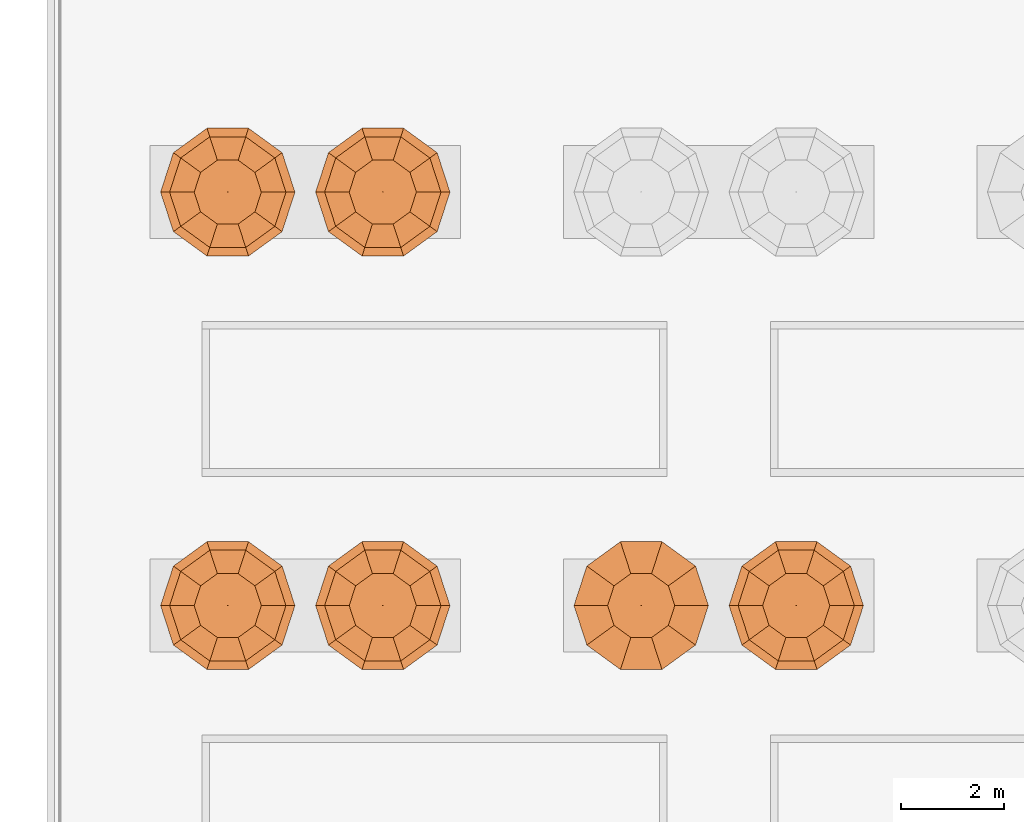
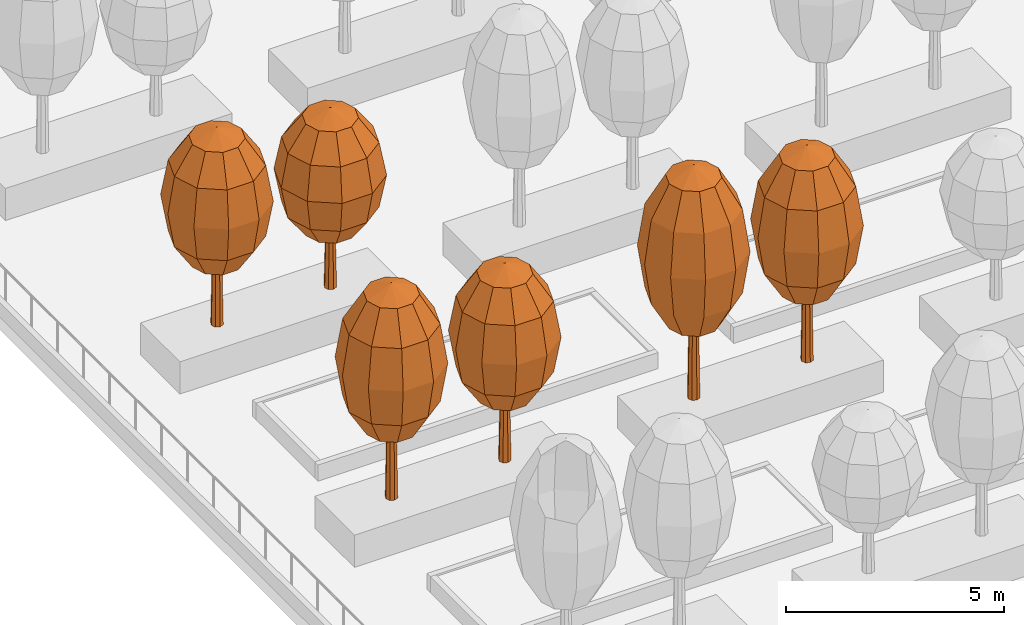
# One storey, part 94 of 100: 6 proxies.
"""IFC4 building model written with IfcOpenShell, lengths in metres."""

from ifc_helpers import new_model, si_unit, direction, frame, origin, place, context, subcontext, project, spatial, triangles, element, save


model = new_model("IFC4")

# Units and contexts
model_context = context("Model", 3, precision=1e-05, world=origin(), true_north=direction((0.0, 1.0)))
body_context = subcontext(model_context, "Body", "Model", "MODEL_VIEW")
ifc_project = project(units=[si_unit("LENGTHUNIT", "METRE"), si_unit("AREAUNIT", "SQUARE_METRE"), si_unit("VOLUMEUNIT", "CUBIC_METRE"), si_unit("PLANEANGLEUNIT", "RADIAN"), si_unit("MASSUNIT", "GRAM", prefix="KILO")], contexts=[model_context])

# Site, building, storey
site_placement = place(None, origin())
site = spatial("IfcSite", under=ifc_project, at=site_placement, CompositionType="ELEMENT")
building_placement = place(site_placement, origin())
building = spatial("IfcBuilding", under=site, at=building_placement, Name="Hakoniwa Tower and Hamabe Station Hall", CompositionType="ELEMENT")
storey_placement = place(building_placement, frame((0.0, 0.0, 9.0)))
storey = spatial("IfcBuildingStorey", under=building, at=storey_placement, Name="L02", CompositionType="ELEMENT", Elevation=9.0)

# Proxies
proxy_1_placement = place(storey_placement, frame((-20.5, -49.0, 0.89990234375)))
element("IfcBuildingElementProxy", 1, at=proxy_1_placement, inside=storey, Name="Tree Biota orientalis 07-1", ObjectType="TREE", PredefinedType="USERDEFINED", context=body_context, shape_type="Tessellation", body=[
    triangles([(0.14990234375, 0.0, 0.0), (0.106201171875, 0.106201171875, 0.0), (0.0, 0.14990234375, 0.0), (-0.106201171875, 0.106201171875, 0.0), (-0.14990234375, 0.0, 0.0), (-0.106201171875, -0.106201171875, 0.0), (0.0, -0.14990234375, 0.0), (0.106201171875, -0.106201171875, 0.0), (0.090087890625, 0.0, 3.6240234375), (0.063720703125, 0.063720703125, 3.6240234375), (0.0, 0.090087890625, 3.6240234375), (-0.063720703125, 0.063720703125, 3.6240234375), (-0.090087890625, 0.0, 3.6240234375), (-0.063720703125, -0.063720703125, 3.6240234375), (0.0, -0.090087890625, 3.6240234375), (0.063720703125, -0.063720703125, 3.6240234375), (0.0, 0.0, 0.0), (0.0, 0.0, 3.6240234375)], [[1, 2, 10], [1, 10, 9], [17, 2, 1], [18, 9, 10], [2, 3, 11], [2, 11, 10], [17, 3, 2], [18, 10, 11], [3, 4, 12], [3, 12, 11], [17, 4, 3], [18, 11, 12], [4, 5, 13], [4, 13, 12], [17, 5, 4], [18, 12, 13], [5, 6, 14], [5, 14, 13], [17, 6, 5], [18, 13, 14], [6, 7, 15], [6, 15, 14], [17, 7, 6], [18, 14, 15], [7, 8, 16], [7, 16, 15], [17, 8, 7], [18, 15, 16], [8, 1, 9], [8, 9, 16], [17, 1, 8], [18, 16, 9]], closed=True),
    triangles([(0.0, 0.0, 1.679931640625), (0.64990234375, 0.0, 1.969482421875), (0.52587890625, 0.382080078125, 1.969482421875), (0.200927734375, 0.6181640625, 1.969482421875), (-0.200927734375, 0.6181640625, 1.969482421875), (-0.52587890625, 0.382080078125, 1.969482421875), (-0.64990234375, 0.0, 1.969482421875), (-0.52587890625, -0.382080078125, 1.969482421875), (-0.200927734375, -0.6181640625, 1.969482421875), (0.200927734375, -0.6181640625, 1.969482421875), (0.52587890625, -0.382080078125, 1.969482421875), (1.1259765625, 0.0, 2.760009765625), (0.910888671875, 0.661865234375, 2.760009765625), (0.347900390625, 1.07080078125, 2.760009765625), (-0.347900390625, 1.07080078125, 2.760009765625), (-0.910888671875, 0.661865234375, 2.760009765625), (-1.1259765625, 0.0, 2.760009765625), (-0.910888671875, -0.661865234375, 2.760009765625), (-0.347900390625, -1.07080078125, 2.760009765625), (0.347900390625, -1.07080078125, 2.760009765625), (0.910888671875, -0.661865234375, 2.760009765625), (1.300048828125, 0.0, 3.840087890625), (1.0517578125, 0.76416015625, 3.840087890625), (0.40185546875, 1.236328125, 3.840087890625), (-0.40185546875, 1.236328125, 3.840087890625), (-1.0517578125, 0.76416015625, 3.840087890625), (-1.300048828125, 0.0, 3.840087890625), (-1.0517578125, -0.76416015625, 3.840087890625), (-0.40185546875, -1.236328125, 3.840087890625), (0.40185546875, -1.236328125, 3.840087890625), (1.0517578125, -0.76416015625, 3.840087890625), (1.1259765625, 0.0, 4.919921875), (0.910888671875, 0.661865234375, 4.919921875), (0.347900390625, 1.07080078125, 4.919921875), (-0.347900390625, 1.07080078125, 4.919921875), (-0.910888671875, 0.661865234375, 4.919921875), (-1.1259765625, 0.0, 4.919921875), (-0.910888671875, -0.661865234375, 4.919921875), (-0.347900390625, -1.07080078125, 4.919921875), (0.347900390625, -1.07080078125, 4.919921875), (0.910888671875, -0.661865234375, 4.919921875), (0.64990234375, 0.0, 5.710693359375), (0.52587890625, 0.382080078125, 5.710693359375), (0.200927734375, 0.6181640625, 5.710693359375), (-0.200927734375, 0.6181640625, 5.710693359375), (-0.52587890625, 0.382080078125, 5.710693359375), (-0.64990234375, 0.0, 5.710693359375), (-0.52587890625, -0.382080078125, 5.710693359375), (-0.200927734375, -0.6181640625, 5.710693359375), (0.200927734375, -0.6181640625, 5.710693359375), (0.52587890625, -0.382080078125, 5.710693359375), (0.0, 0.0, 6.0)], [[1, 3, 2], [1, 4, 3], [1, 5, 4], [1, 6, 5], [1, 7, 6], [1, 8, 7], [1, 9, 8], [1, 10, 9], [1, 11, 10], [1, 2, 11], [2, 3, 13], [2, 13, 12], [3, 4, 14], [3, 14, 13], [4, 5, 15], [4, 15, 14], [5, 6, 16], [5, 16, 15], [6, 7, 17], [6, 17, 16], [7, 8, 18], [7, 18, 17], [8, 9, 19], [8, 19, 18], [9, 10, 20], [9, 20, 19], [10, 11, 21], [10, 21, 20], [11, 2, 12], [11, 12, 21], [12, 13, 23], [12, 23, 22], [13, 14, 24], [13, 24, 23], [14, 15, 25], [14, 25, 24], [15, 16, 26], [15, 26, 25], [16, 17, 27], [16, 27, 26], [17, 18, 28], [17, 28, 27], [18, 19, 29], [18, 29, 28], [19, 20, 30], [19, 30, 29], [20, 21, 31], [20, 31, 30], [21, 12, 22], [21, 22, 31], [22, 23, 33], [22, 33, 32], [23, 24, 34], [23, 34, 33], [24, 25, 35], [24, 35, 34], [25, 26, 36], [25, 36, 35], [26, 27, 37], [26, 37, 36], [27, 28, 38], [27, 38, 37], [28, 29, 39], [28, 39, 38], [29, 30, 40], [29, 40, 39], [30, 31, 41], [30, 41, 40], [31, 22, 32], [31, 32, 41], [32, 33, 43], [32, 43, 42], [33, 34, 44], [33, 44, 43], [34, 35, 45], [34, 45, 44], [35, 36, 46], [35, 46, 45], [36, 37, 47], [36, 47, 46], [37, 38, 48], [37, 48, 47], [38, 39, 49], [38, 49, 48], [39, 40, 50], [39, 50, 49], [40, 41, 51], [40, 51, 50], [41, 32, 42], [41, 42, 51], [52, 42, 43], [52, 43, 44], [52, 44, 45], [52, 45, 46], [52, 46, 47], [52, 47, 48], [52, 48, 49], [52, 49, 50], [52, 50, 51], [52, 51, 42]], closed=True),
])
proxy_2_placement = place(storey_placement, frame((-17.5, -49.0, 0.89990234375)))
element("IfcBuildingElementProxy", 2, at=proxy_2_placement, inside=storey, Name="Tree Dendropanax trifidus 07-2", ObjectType="TREE", PredefinedType="USERDEFINED", context=body_context, shape_type="Tessellation", body=[
    triangles([(0.14990234375, 0.0, 0.0), (0.106201171875, 0.106201171875, 0.0), (0.0, 0.14990234375, 0.0), (-0.106201171875, 0.106201171875, 0.0), (-0.14990234375, 0.0, 0.0), (-0.106201171875, -0.106201171875, 0.0), (0.0, -0.14990234375, 0.0), (0.106201171875, -0.106201171875, 0.0), (0.090087890625, 0.0, 3.322021484375), (0.063720703125, 0.063720703125, 3.322021484375), (0.0, 0.090087890625, 3.322021484375), (-0.063720703125, 0.063720703125, 3.322021484375), (-0.090087890625, 0.0, 3.322021484375), (-0.063720703125, -0.063720703125, 3.322021484375), (0.0, -0.090087890625, 3.322021484375), (0.063720703125, -0.063720703125, 3.322021484375), (0.0, 0.0, 0.0), (0.0, 0.0, 3.322021484375)], [[1, 2, 10], [1, 10, 9], [17, 2, 1], [18, 9, 10], [2, 3, 11], [2, 11, 10], [17, 3, 2], [18, 10, 11], [3, 4, 12], [3, 12, 11], [17, 4, 3], [18, 11, 12], [4, 5, 13], [4, 13, 12], [17, 5, 4], [18, 12, 13], [5, 6, 14], [5, 14, 13], [17, 6, 5], [18, 13, 14], [6, 7, 15], [6, 15, 14], [17, 7, 6], [18, 14, 15], [7, 8, 16], [7, 16, 15], [17, 8, 7], [18, 15, 16], [8, 1, 9], [8, 9, 16], [17, 1, 8], [18, 16, 9]], closed=True),
    triangles([(0.0, 0.0, 1.5400390625), (0.64990234375, 0.0, 1.80517578125), (0.52587890625, 0.382080078125, 1.80517578125), (0.200927734375, 0.6181640625, 1.80517578125), (-0.200927734375, 0.6181640625, 1.80517578125), (-0.52587890625, 0.382080078125, 1.80517578125), (-0.64990234375, 0.0, 1.80517578125), (-0.52587890625, -0.382080078125, 1.80517578125), (-0.200927734375, -0.6181640625, 1.80517578125), (0.200927734375, -0.6181640625, 1.80517578125), (0.52587890625, -0.382080078125, 1.80517578125), (1.1259765625, 0.0, 2.530029296875), (0.910888671875, 0.661865234375, 2.530029296875), (0.347900390625, 1.07080078125, 2.530029296875), (-0.347900390625, 1.07080078125, 2.530029296875), (-0.910888671875, 0.661865234375, 2.530029296875), (-1.1259765625, 0.0, 2.530029296875), (-0.910888671875, -0.661865234375, 2.530029296875), (-0.347900390625, -1.07080078125, 2.530029296875), (0.347900390625, -1.07080078125, 2.530029296875), (0.910888671875, -0.661865234375, 2.530029296875), (1.300048828125, 0.0, 3.52001953125), (1.0517578125, 0.76416015625, 3.52001953125), (0.40185546875, 1.236328125, 3.52001953125), (-0.40185546875, 1.236328125, 3.52001953125), (-1.0517578125, 0.76416015625, 3.52001953125), (-1.300048828125, 0.0, 3.52001953125), (-1.0517578125, -0.76416015625, 3.52001953125), (-0.40185546875, -1.236328125, 3.52001953125), (0.40185546875, -1.236328125, 3.52001953125), (1.0517578125, -0.76416015625, 3.52001953125), (1.1259765625, 0.0, 4.510009765625), (0.910888671875, 0.661865234375, 4.510009765625), (0.347900390625, 1.07080078125, 4.510009765625), (-0.347900390625, 1.07080078125, 4.510009765625), (-0.910888671875, 0.661865234375, 4.510009765625), (-1.1259765625, 0.0, 4.510009765625), (-0.910888671875, -0.661865234375, 4.510009765625), (-0.347900390625, -1.07080078125, 4.510009765625), (0.347900390625, -1.07080078125, 4.510009765625), (0.910888671875, -0.661865234375, 4.510009765625), (0.64990234375, 0.0, 5.234619140625), (0.52587890625, 0.382080078125, 5.234619140625), (0.200927734375, 0.6181640625, 5.234619140625), (-0.200927734375, 0.6181640625, 5.234619140625), (-0.52587890625, 0.382080078125, 5.234619140625), (-0.64990234375, 0.0, 5.234619140625), (-0.52587890625, -0.382080078125, 5.234619140625), (-0.200927734375, -0.6181640625, 5.234619140625), (0.200927734375, -0.6181640625, 5.234619140625), (0.52587890625, -0.382080078125, 5.234619140625), (0.0, 0.0, 5.5)], [[1, 3, 2], [1, 4, 3], [1, 5, 4], [1, 6, 5], [1, 7, 6], [1, 8, 7], [1, 9, 8], [1, 10, 9], [1, 11, 10], [1, 2, 11], [2, 3, 13], [2, 13, 12], [3, 4, 14], [3, 14, 13], [4, 5, 15], [4, 15, 14], [5, 6, 16], [5, 16, 15], [6, 7, 17], [6, 17, 16], [7, 8, 18], [7, 18, 17], [8, 9, 19], [8, 19, 18], [9, 10, 20], [9, 20, 19], [10, 11, 21], [10, 21, 20], [11, 2, 12], [11, 12, 21], [12, 13, 23], [12, 23, 22], [13, 14, 24], [13, 24, 23], [14, 15, 25], [14, 25, 24], [15, 16, 26], [15, 26, 25], [16, 17, 27], [16, 27, 26], [17, 18, 28], [17, 28, 27], [18, 19, 29], [18, 29, 28], [19, 20, 30], [19, 30, 29], [20, 21, 31], [20, 31, 30], [21, 12, 22], [21, 22, 31], [22, 23, 33], [22, 33, 32], [23, 24, 34], [23, 34, 33], [24, 25, 35], [24, 35, 34], [25, 26, 36], [25, 36, 35], [26, 27, 37], [26, 37, 36], [27, 28, 38], [27, 38, 37], [28, 29, 39], [28, 39, 38], [29, 30, 40], [29, 40, 39], [30, 31, 41], [30, 41, 40], [31, 22, 32], [31, 32, 41], [32, 33, 43], [32, 43, 42], [33, 34, 44], [33, 44, 43], [34, 35, 45], [34, 45, 44], [35, 36, 46], [35, 46, 45], [36, 37, 47], [36, 47, 46], [37, 38, 48], [37, 48, 47], [38, 39, 49], [38, 49, 48], [39, 40, 50], [39, 50, 49], [40, 41, 51], [40, 51, 50], [41, 32, 42], [41, 42, 51], [52, 42, 43], [52, 43, 44], [52, 44, 45], [52, 45, 46], [52, 46, 47], [52, 47, 48], [52, 48, 49], [52, 49, 50], [52, 50, 51], [52, 51, 42]], closed=True),
])
proxy_3_placement = place(storey_placement, frame((-12.5, -49.0, 0.89990234375)))
element("IfcBuildingElementProxy", 3, at=proxy_3_placement, inside=storey, Name="Tree Quercus phillyraeoides 08-1", ObjectType="TREE", PredefinedType="USERDEFINED", context=body_context, shape_type="Tessellation", body=[
    triangles([(0.14990234375, 0.0, 0.0), (0.106201171875, 0.106201171875, 0.0), (0.0, 0.14990234375, 0.0), (-0.106201171875, 0.106201171875, 0.0), (-0.14990234375, 0.0, 0.0), (-0.106201171875, -0.106201171875, 0.0), (0.0, -0.14990234375, 0.0), (0.106201171875, -0.106201171875, 0.0), (0.090087890625, 0.0, 3.926025390625), (0.063720703125, 0.063720703125, 3.926025390625), (0.0, 0.090087890625, 3.926025390625), (-0.063720703125, 0.063720703125, 3.926025390625), (-0.090087890625, 0.0, 3.926025390625), (-0.063720703125, -0.063720703125, 3.926025390625), (0.0, -0.090087890625, 3.926025390625), (0.063720703125, -0.063720703125, 3.926025390625), (0.0, 0.0, 0.0), (0.0, 0.0, 3.926025390625)], [[1, 2, 10], [1, 10, 9], [17, 2, 1], [18, 9, 10], [2, 3, 11], [2, 11, 10], [17, 3, 2], [18, 10, 11], [3, 4, 12], [3, 12, 11], [17, 4, 3], [18, 11, 12], [4, 5, 13], [4, 13, 12], [17, 5, 4], [18, 12, 13], [5, 6, 14], [5, 14, 13], [17, 6, 5], [18, 13, 14], [6, 7, 15], [6, 15, 14], [17, 7, 6], [18, 14, 15], [7, 8, 16], [7, 16, 15], [17, 8, 7], [18, 15, 16], [8, 1, 9], [8, 9, 16], [17, 1, 8], [18, 16, 9]], closed=True),
    triangles([(0.0, 0.0, 1.820068359375), (0.64990234375, 0.0, 2.133544921875), (0.52587890625, 0.382080078125, 2.133544921875), (0.200927734375, 0.6181640625, 2.133544921875), (-0.200927734375, 0.6181640625, 2.133544921875), (-0.52587890625, 0.382080078125, 2.133544921875), (-0.64990234375, 0.0, 2.133544921875), (-0.52587890625, -0.382080078125, 2.133544921875), (-0.200927734375, -0.6181640625, 2.133544921875), (0.200927734375, -0.6181640625, 2.133544921875), (0.52587890625, -0.382080078125, 2.133544921875), (1.1259765625, 0.0, 2.989990234375), (0.910888671875, 0.661865234375, 2.989990234375), (0.347900390625, 1.07080078125, 2.989990234375), (-0.347900390625, 1.07080078125, 2.989990234375), (-0.910888671875, 0.661865234375, 2.989990234375), (-1.1259765625, 0.0, 2.989990234375), (-0.910888671875, -0.661865234375, 2.989990234375), (-0.347900390625, -1.07080078125, 2.989990234375), (0.347900390625, -1.07080078125, 2.989990234375), (0.910888671875, -0.661865234375, 2.989990234375), (1.300048828125, 0.0, 4.159912109375), (1.0517578125, 0.76416015625, 4.159912109375), (0.40185546875, 1.236328125, 4.159912109375), (-0.40185546875, 1.236328125, 4.159912109375), (-1.0517578125, 0.76416015625, 4.159912109375), (-1.300048828125, 0.0, 4.159912109375), (-1.0517578125, -0.76416015625, 4.159912109375), (-0.40185546875, -1.236328125, 4.159912109375), (0.40185546875, -1.236328125, 4.159912109375), (1.0517578125, -0.76416015625, 4.159912109375), (1.1259765625, 0.0, 5.330078125), (0.910888671875, 0.661865234375, 5.330078125), (0.347900390625, 1.07080078125, 5.330078125), (-0.347900390625, 1.07080078125, 5.330078125), (-0.910888671875, 0.661865234375, 5.330078125), (-1.1259765625, 0.0, 5.330078125), (-0.910888671875, -0.661865234375, 5.330078125), (-0.347900390625, -1.07080078125, 5.330078125), (0.347900390625, -1.07080078125, 5.330078125), (0.910888671875, -0.661865234375, 5.330078125), (0.64990234375, 0.0, 6.1865234375), (0.52587890625, 0.382080078125, 6.1865234375), (0.200927734375, 0.6181640625, 6.1865234375), (-0.200927734375, 0.6181640625, 6.1865234375), (-0.52587890625, 0.382080078125, 6.1865234375), (-0.64990234375, 0.0, 6.1865234375), (-0.52587890625, -0.382080078125, 6.1865234375), (-0.200927734375, -0.6181640625, 6.1865234375), (0.200927734375, -0.6181640625, 6.1865234375), (0.52587890625, -0.382080078125, 6.1865234375), (0.0, 0.0, 6.5)], [[1, 3, 2], [1, 4, 3], [1, 5, 4], [1, 6, 5], [1, 7, 6], [1, 8, 7], [1, 9, 8], [1, 10, 9], [1, 11, 10], [1, 2, 11], [2, 3, 13], [2, 13, 12], [3, 4, 14], [3, 14, 13], [4, 5, 15], [4, 15, 14], [5, 6, 16], [5, 16, 15], [6, 7, 17], [6, 17, 16], [7, 8, 18], [7, 18, 17], [8, 9, 19], [8, 19, 18], [9, 10, 20], [9, 20, 19], [10, 11, 21], [10, 21, 20], [11, 2, 12], [11, 12, 21], [12, 13, 23], [12, 23, 22], [13, 14, 24], [13, 24, 23], [14, 15, 25], [14, 25, 24], [15, 16, 26], [15, 26, 25], [16, 17, 27], [16, 27, 26], [17, 18, 28], [17, 28, 27], [18, 19, 29], [18, 29, 28], [19, 20, 30], [19, 30, 29], [20, 21, 31], [20, 31, 30], [21, 12, 22], [21, 22, 31], [22, 23, 33], [22, 33, 32], [23, 24, 34], [23, 34, 33], [24, 25, 35], [24, 35, 34], [25, 26, 36], [25, 36, 35], [26, 27, 37], [26, 37, 36], [27, 28, 38], [27, 38, 37], [28, 29, 39], [28, 39, 38], [29, 30, 40], [29, 40, 39], [30, 31, 41], [30, 41, 40], [31, 22, 32], [31, 32, 41], [32, 33, 43], [32, 43, 42], [33, 34, 44], [33, 44, 43], [34, 35, 45], [34, 45, 44], [35, 36, 46], [35, 46, 45], [36, 37, 47], [36, 47, 46], [37, 38, 48], [37, 48, 47], [38, 39, 49], [38, 49, 48], [39, 40, 50], [39, 50, 49], [40, 41, 51], [40, 51, 50], [41, 32, 42], [41, 42, 51], [52, 42, 43], [52, 43, 44], [52, 44, 45], [52, 45, 46], [52, 46, 47], [52, 47, 48], [52, 48, 49], [52, 49, 50], [52, 50, 51], [52, 51, 42]], closed=True),
])
proxy_4_placement = place(storey_placement, frame((-9.5, -49.0, 0.89990234375)))
element("IfcBuildingElementProxy", 4, at=proxy_4_placement, inside=storey, Name="Tree Ilex rotunda 08-2", ObjectType="TREE", PredefinedType="USERDEFINED", context=body_context, shape_type="Tessellation", body=[
    triangles([(0.14990234375, 0.0, 0.0), (0.106201171875, 0.106201171875, 0.0), (0.0, 0.14990234375, 0.0), (-0.106201171875, 0.106201171875, 0.0), (-0.14990234375, 0.0, 0.0), (-0.106201171875, -0.106201171875, 0.0), (0.0, -0.14990234375, 0.0), (0.106201171875, -0.106201171875, 0.0), (0.090087890625, 0.0, 3.6240234375), (0.063720703125, 0.063720703125, 3.6240234375), (0.0, 0.090087890625, 3.6240234375), (-0.063720703125, 0.063720703125, 3.6240234375), (-0.090087890625, 0.0, 3.6240234375), (-0.063720703125, -0.063720703125, 3.6240234375), (0.0, -0.090087890625, 3.6240234375), (0.063720703125, -0.063720703125, 3.6240234375), (0.0, 0.0, 0.0), (0.0, 0.0, 3.6240234375)], [[1, 2, 10], [1, 10, 9], [17, 2, 1], [18, 9, 10], [2, 3, 11], [2, 11, 10], [17, 3, 2], [18, 10, 11], [3, 4, 12], [3, 12, 11], [17, 4, 3], [18, 11, 12], [4, 5, 13], [4, 13, 12], [17, 5, 4], [18, 12, 13], [5, 6, 14], [5, 14, 13], [17, 6, 5], [18, 13, 14], [6, 7, 15], [6, 15, 14], [17, 7, 6], [18, 14, 15], [7, 8, 16], [7, 16, 15], [17, 8, 7], [18, 15, 16], [8, 1, 9], [8, 9, 16], [17, 1, 8], [18, 16, 9]], closed=True),
    triangles([(0.0, 0.0, 1.679931640625), (0.64990234375, 0.0, 1.969482421875), (0.52587890625, 0.382080078125, 1.969482421875), (0.200927734375, 0.6181640625, 1.969482421875), (-0.200927734375, 0.6181640625, 1.969482421875), (-0.52587890625, 0.382080078125, 1.969482421875), (-0.64990234375, 0.0, 1.969482421875), (-0.52587890625, -0.382080078125, 1.969482421875), (-0.200927734375, -0.6181640625, 1.969482421875), (0.200927734375, -0.6181640625, 1.969482421875), (0.52587890625, -0.382080078125, 1.969482421875), (1.1259765625, 0.0, 2.760009765625), (0.910888671875, 0.661865234375, 2.760009765625), (0.347900390625, 1.07080078125, 2.760009765625), (-0.347900390625, 1.07080078125, 2.760009765625), (-0.910888671875, 0.661865234375, 2.760009765625), (-1.1259765625, 0.0, 2.760009765625), (-0.910888671875, -0.661865234375, 2.760009765625), (-0.347900390625, -1.07080078125, 2.760009765625), (0.347900390625, -1.07080078125, 2.760009765625), (0.910888671875, -0.661865234375, 2.760009765625), (1.300048828125, 0.0, 3.840087890625), (1.0517578125, 0.76416015625, 3.840087890625), (0.40185546875, 1.236328125, 3.840087890625), (-0.40185546875, 1.236328125, 3.840087890625), (-1.0517578125, 0.76416015625, 3.840087890625), (-1.300048828125, 0.0, 3.840087890625), (-1.0517578125, -0.76416015625, 3.840087890625), (-0.40185546875, -1.236328125, 3.840087890625), (0.40185546875, -1.236328125, 3.840087890625), (1.0517578125, -0.76416015625, 3.840087890625), (1.1259765625, 0.0, 4.919921875), (0.910888671875, 0.661865234375, 4.919921875), (0.347900390625, 1.07080078125, 4.919921875), (-0.347900390625, 1.07080078125, 4.919921875), (-0.910888671875, 0.661865234375, 4.919921875), (-1.1259765625, 0.0, 4.919921875), (-0.910888671875, -0.661865234375, 4.919921875), (-0.347900390625, -1.07080078125, 4.919921875), (0.347900390625, -1.07080078125, 4.919921875), (0.910888671875, -0.661865234375, 4.919921875), (0.64990234375, 0.0, 5.710693359375), (0.52587890625, 0.382080078125, 5.710693359375), (0.200927734375, 0.6181640625, 5.710693359375), (-0.200927734375, 0.6181640625, 5.710693359375), (-0.52587890625, 0.382080078125, 5.710693359375), (-0.64990234375, 0.0, 5.710693359375), (-0.52587890625, -0.382080078125, 5.710693359375), (-0.200927734375, -0.6181640625, 5.710693359375), (0.200927734375, -0.6181640625, 5.710693359375), (0.52587890625, -0.382080078125, 5.710693359375), (0.0, 0.0, 6.0)], [[1, 3, 2], [1, 4, 3], [1, 5, 4], [1, 6, 5], [1, 7, 6], [1, 8, 7], [1, 9, 8], [1, 10, 9], [1, 11, 10], [1, 2, 11], [2, 3, 13], [2, 13, 12], [3, 4, 14], [3, 14, 13], [4, 5, 15], [4, 15, 14], [5, 6, 16], [5, 16, 15], [6, 7, 17], [6, 17, 16], [7, 8, 18], [7, 18, 17], [8, 9, 19], [8, 19, 18], [9, 10, 20], [9, 20, 19], [10, 11, 21], [10, 21, 20], [11, 2, 12], [11, 12, 21], [12, 13, 23], [12, 23, 22], [13, 14, 24], [13, 24, 23], [14, 15, 25], [14, 25, 24], [15, 16, 26], [15, 26, 25], [16, 17, 27], [16, 27, 26], [17, 18, 28], [17, 28, 27], [18, 19, 29], [18, 29, 28], [19, 20, 30], [19, 30, 29], [20, 21, 31], [20, 31, 30], [21, 12, 22], [21, 22, 31], [22, 23, 33], [22, 33, 32], [23, 24, 34], [23, 34, 33], [24, 25, 35], [24, 35, 34], [25, 26, 36], [25, 36, 35], [26, 27, 37], [26, 37, 36], [27, 28, 38], [27, 38, 37], [28, 29, 39], [28, 39, 38], [29, 30, 40], [29, 40, 39], [30, 31, 41], [30, 41, 40], [31, 22, 32], [31, 32, 41], [32, 33, 43], [32, 43, 42], [33, 34, 44], [33, 44, 43], [34, 35, 45], [34, 45, 44], [35, 36, 46], [35, 46, 45], [36, 37, 47], [36, 47, 46], [37, 38, 48], [37, 48, 47], [38, 39, 49], [38, 49, 48], [39, 40, 50], [39, 50, 49], [40, 41, 51], [40, 51, 50], [41, 32, 42], [41, 42, 51], [52, 42, 43], [52, 43, 44], [52, 44, 45], [52, 45, 46], [52, 46, 47], [52, 47, 48], [52, 48, 49], [52, 49, 50], [52, 50, 51], [52, 51, 42]], closed=True),
])
proxy_5_placement = place(storey_placement, frame((-20.5, -41.0, 0.89990234375)))
element("IfcBuildingElementProxy", 5, at=proxy_5_placement, inside=storey, Name="Tree Ternstroemia gymnanthera 13-1", ObjectType="TREE", PredefinedType="USERDEFINED", context=body_context, shape_type="Tessellation", body=[
    triangles([(0.14990234375, 0.0, 0.0), (0.106201171875, 0.106201171875, 0.0), (0.0, 0.14990234375, 0.0), (-0.106201171875, 0.106201171875, 0.0), (-0.14990234375, 0.0, 0.0), (-0.106201171875, -0.106201171875, 0.0), (0.0, -0.14990234375, 0.0), (0.106201171875, -0.106201171875, 0.0), (0.090087890625, 0.0, 3.322021484375), (0.063720703125, 0.063720703125, 3.322021484375), (0.0, 0.090087890625, 3.322021484375), (-0.063720703125, 0.063720703125, 3.322021484375), (-0.090087890625, 0.0, 3.322021484375), (-0.063720703125, -0.063720703125, 3.322021484375), (0.0, -0.090087890625, 3.322021484375), (0.063720703125, -0.063720703125, 3.322021484375), (0.0, 0.0, 0.0), (0.0, 0.0, 3.322021484375)], [[1, 2, 10], [1, 10, 9], [17, 2, 1], [18, 9, 10], [2, 3, 11], [2, 11, 10], [17, 3, 2], [18, 10, 11], [3, 4, 12], [3, 12, 11], [17, 4, 3], [18, 11, 12], [4, 5, 13], [4, 13, 12], [17, 5, 4], [18, 12, 13], [5, 6, 14], [5, 14, 13], [17, 6, 5], [18, 13, 14], [6, 7, 15], [6, 15, 14], [17, 7, 6], [18, 14, 15], [7, 8, 16], [7, 16, 15], [17, 8, 7], [18, 15, 16], [8, 1, 9], [8, 9, 16], [17, 1, 8], [18, 16, 9]], closed=True),
    triangles([(0.0, 0.0, 1.5400390625), (0.64990234375, 0.0, 1.80517578125), (0.52587890625, 0.382080078125, 1.80517578125), (0.200927734375, 0.6181640625, 1.80517578125), (-0.200927734375, 0.6181640625, 1.80517578125), (-0.52587890625, 0.382080078125, 1.80517578125), (-0.64990234375, 0.0, 1.80517578125), (-0.52587890625, -0.382080078125, 1.80517578125), (-0.200927734375, -0.6181640625, 1.80517578125), (0.200927734375, -0.6181640625, 1.80517578125), (0.52587890625, -0.382080078125, 1.80517578125), (1.1259765625, 0.0, 2.530029296875), (0.910888671875, 0.661865234375, 2.530029296875), (0.347900390625, 1.07080078125, 2.530029296875), (-0.347900390625, 1.07080078125, 2.530029296875), (-0.910888671875, 0.661865234375, 2.530029296875), (-1.1259765625, 0.0, 2.530029296875), (-0.910888671875, -0.661865234375, 2.530029296875), (-0.347900390625, -1.07080078125, 2.530029296875), (0.347900390625, -1.07080078125, 2.530029296875), (0.910888671875, -0.661865234375, 2.530029296875), (1.300048828125, 0.0, 3.52001953125), (1.0517578125, 0.76416015625, 3.52001953125), (0.40185546875, 1.236328125, 3.52001953125), (-0.40185546875, 1.236328125, 3.52001953125), (-1.0517578125, 0.76416015625, 3.52001953125), (-1.300048828125, 0.0, 3.52001953125), (-1.0517578125, -0.76416015625, 3.52001953125), (-0.40185546875, -1.236328125, 3.52001953125), (0.40185546875, -1.236328125, 3.52001953125), (1.0517578125, -0.76416015625, 3.52001953125), (1.1259765625, 0.0, 4.510009765625), (0.910888671875, 0.661865234375, 4.510009765625), (0.347900390625, 1.07080078125, 4.510009765625), (-0.347900390625, 1.07080078125, 4.510009765625), (-0.910888671875, 0.661865234375, 4.510009765625), (-1.1259765625, 0.0, 4.510009765625), (-0.910888671875, -0.661865234375, 4.510009765625), (-0.347900390625, -1.07080078125, 4.510009765625), (0.347900390625, -1.07080078125, 4.510009765625), (0.910888671875, -0.661865234375, 4.510009765625), (0.64990234375, 0.0, 5.234619140625), (0.52587890625, 0.382080078125, 5.234619140625), (0.200927734375, 0.6181640625, 5.234619140625), (-0.200927734375, 0.6181640625, 5.234619140625), (-0.52587890625, 0.382080078125, 5.234619140625), (-0.64990234375, 0.0, 5.234619140625), (-0.52587890625, -0.382080078125, 5.234619140625), (-0.200927734375, -0.6181640625, 5.234619140625), (0.200927734375, -0.6181640625, 5.234619140625), (0.52587890625, -0.382080078125, 5.234619140625), (0.0, 0.0, 5.5)], [[1, 3, 2], [1, 4, 3], [1, 5, 4], [1, 6, 5], [1, 7, 6], [1, 8, 7], [1, 9, 8], [1, 10, 9], [1, 11, 10], [1, 2, 11], [2, 3, 13], [2, 13, 12], [3, 4, 14], [3, 14, 13], [4, 5, 15], [4, 15, 14], [5, 6, 16], [5, 16, 15], [6, 7, 17], [6, 17, 16], [7, 8, 18], [7, 18, 17], [8, 9, 19], [8, 19, 18], [9, 10, 20], [9, 20, 19], [10, 11, 21], [10, 21, 20], [11, 2, 12], [11, 12, 21], [12, 13, 23], [12, 23, 22], [13, 14, 24], [13, 24, 23], [14, 15, 25], [14, 25, 24], [15, 16, 26], [15, 26, 25], [16, 17, 27], [16, 27, 26], [17, 18, 28], [17, 28, 27], [18, 19, 29], [18, 29, 28], [19, 20, 30], [19, 30, 29], [20, 21, 31], [20, 31, 30], [21, 12, 22], [21, 22, 31], [22, 23, 33], [22, 33, 32], [23, 24, 34], [23, 34, 33], [24, 25, 35], [24, 35, 34], [25, 26, 36], [25, 36, 35], [26, 27, 37], [26, 37, 36], [27, 28, 38], [27, 38, 37], [28, 29, 39], [28, 39, 38], [29, 30, 40], [29, 40, 39], [30, 31, 41], [30, 41, 40], [31, 22, 32], [31, 32, 41], [32, 33, 43], [32, 43, 42], [33, 34, 44], [33, 44, 43], [34, 35, 45], [34, 45, 44], [35, 36, 46], [35, 46, 45], [36, 37, 47], [36, 47, 46], [37, 38, 48], [37, 48, 47], [38, 39, 49], [38, 49, 48], [39, 40, 50], [39, 50, 49], [40, 41, 51], [40, 51, 50], [41, 32, 42], [41, 42, 51], [52, 42, 43], [52, 43, 44], [52, 44, 45], [52, 45, 46], [52, 46, 47], [52, 47, 48], [52, 48, 49], [52, 49, 50], [52, 50, 51], [52, 51, 42]], closed=True),
])
proxy_6_placement = place(storey_placement, frame((-17.5, -41.0, 0.89990234375)))
element("IfcBuildingElementProxy", 6, at=proxy_6_placement, inside=storey, Name="Tree Ilex pedunculosa 13-2", ObjectType="TREE", PredefinedType="USERDEFINED", context=body_context, shape_type="Tessellation", body=[
    triangles([(0.14990234375, 0.0, 0.0), (0.106201171875, 0.106201171875, 0.0), (0.0, 0.14990234375, 0.0), (-0.106201171875, 0.106201171875, 0.0), (-0.14990234375, 0.0, 0.0), (-0.106201171875, -0.106201171875, 0.0), (0.0, -0.14990234375, 0.0), (0.106201171875, -0.106201171875, 0.0), (0.090087890625, 0.0, 3.02001953125), (0.063720703125, 0.063720703125, 3.02001953125), (0.0, 0.090087890625, 3.02001953125), (-0.063720703125, 0.063720703125, 3.02001953125), (-0.090087890625, 0.0, 3.02001953125), (-0.063720703125, -0.063720703125, 3.02001953125), (0.0, -0.090087890625, 3.02001953125), (0.063720703125, -0.063720703125, 3.02001953125), (0.0, 0.0, 0.0), (0.0, 0.0, 3.02001953125)], [[1, 2, 10], [1, 10, 9], [17, 2, 1], [18, 9, 10], [2, 3, 11], [2, 11, 10], [17, 3, 2], [18, 10, 11], [3, 4, 12], [3, 12, 11], [17, 4, 3], [18, 11, 12], [4, 5, 13], [4, 13, 12], [17, 5, 4], [18, 12, 13], [5, 6, 14], [5, 14, 13], [17, 6, 5], [18, 13, 14], [6, 7, 15], [6, 15, 14], [17, 7, 6], [18, 14, 15], [7, 8, 16], [7, 16, 15], [17, 8, 7], [18, 15, 16], [8, 1, 9], [8, 9, 16], [17, 1, 8], [18, 16, 9]], closed=True),
    triangles([(0.0, 0.0, 1.39990234375), (0.64990234375, 0.0, 1.64111328125), (0.52587890625, 0.382080078125, 1.64111328125), (0.200927734375, 0.6181640625, 1.64111328125), (-0.200927734375, 0.6181640625, 1.64111328125), (-0.52587890625, 0.382080078125, 1.64111328125), (-0.64990234375, 0.0, 1.64111328125), (-0.52587890625, -0.382080078125, 1.64111328125), (-0.200927734375, -0.6181640625, 1.64111328125), (0.200927734375, -0.6181640625, 1.64111328125), (0.52587890625, -0.382080078125, 1.64111328125), (1.1259765625, 0.0, 2.300048828125), (0.910888671875, 0.661865234375, 2.300048828125), (0.347900390625, 1.07080078125, 2.300048828125), (-0.347900390625, 1.07080078125, 2.300048828125), (-0.910888671875, 0.661865234375, 2.300048828125), (-1.1259765625, 0.0, 2.300048828125), (-0.910888671875, -0.661865234375, 2.300048828125), (-0.347900390625, -1.07080078125, 2.300048828125), (0.347900390625, -1.07080078125, 2.300048828125), (0.910888671875, -0.661865234375, 2.300048828125), (1.300048828125, 0.0, 3.199951171875), (1.0517578125, 0.76416015625, 3.199951171875), (0.40185546875, 1.236328125, 3.199951171875), (-0.40185546875, 1.236328125, 3.199951171875), (-1.0517578125, 0.76416015625, 3.199951171875), (-1.300048828125, 0.0, 3.199951171875), (-1.0517578125, -0.76416015625, 3.199951171875), (-0.40185546875, -1.236328125, 3.199951171875), (0.40185546875, -1.236328125, 3.199951171875), (1.0517578125, -0.76416015625, 3.199951171875), (1.1259765625, 0.0, 4.10009765625), (0.910888671875, 0.661865234375, 4.10009765625), (0.347900390625, 1.07080078125, 4.10009765625), (-0.347900390625, 1.07080078125, 4.10009765625), (-0.910888671875, 0.661865234375, 4.10009765625), (-1.1259765625, 0.0, 4.10009765625), (-0.910888671875, -0.661865234375, 4.10009765625), (-0.347900390625, -1.07080078125, 4.10009765625), (0.347900390625, -1.07080078125, 4.10009765625), (0.910888671875, -0.661865234375, 4.10009765625), (0.64990234375, 0.0, 4.7587890625), (0.52587890625, 0.382080078125, 4.7587890625), (0.200927734375, 0.6181640625, 4.7587890625), (-0.200927734375, 0.6181640625, 4.7587890625), (-0.52587890625, 0.382080078125, 4.7587890625), (-0.64990234375, 0.0, 4.7587890625), (-0.52587890625, -0.382080078125, 4.7587890625), (-0.200927734375, -0.6181640625, 4.7587890625), (0.200927734375, -0.6181640625, 4.7587890625), (0.52587890625, -0.382080078125, 4.7587890625), (0.0, 0.0, 5.0)], [[1, 3, 2], [1, 4, 3], [1, 5, 4], [1, 6, 5], [1, 7, 6], [1, 8, 7], [1, 9, 8], [1, 10, 9], [1, 11, 10], [1, 2, 11], [2, 3, 13], [2, 13, 12], [3, 4, 14], [3, 14, 13], [4, 5, 15], [4, 15, 14], [5, 6, 16], [5, 16, 15], [6, 7, 17], [6, 17, 16], [7, 8, 18], [7, 18, 17], [8, 9, 19], [8, 19, 18], [9, 10, 20], [9, 20, 19], [10, 11, 21], [10, 21, 20], [11, 2, 12], [11, 12, 21], [12, 13, 23], [12, 23, 22], [13, 14, 24], [13, 24, 23], [14, 15, 25], [14, 25, 24], [15, 16, 26], [15, 26, 25], [16, 17, 27], [16, 27, 26], [17, 18, 28], [17, 28, 27], [18, 19, 29], [18, 29, 28], [19, 20, 30], [19, 30, 29], [20, 21, 31], [20, 31, 30], [21, 12, 22], [21, 22, 31], [22, 23, 33], [22, 33, 32], [23, 24, 34], [23, 34, 33], [24, 25, 35], [24, 35, 34], [25, 26, 36], [25, 36, 35], [26, 27, 37], [26, 37, 36], [27, 28, 38], [27, 38, 37], [28, 29, 39], [28, 39, 38], [29, 30, 40], [29, 40, 39], [30, 31, 41], [30, 41, 40], [31, 22, 32], [31, 32, 41], [32, 33, 43], [32, 43, 42], [33, 34, 44], [33, 44, 43], [34, 35, 45], [34, 45, 44], [35, 36, 46], [35, 46, 45], [36, 37, 47], [36, 47, 46], [37, 38, 48], [37, 48, 47], [38, 39, 49], [38, 49, 48], [39, 40, 50], [39, 50, 49], [40, 41, 51], [40, 51, 50], [41, 32, 42], [41, 42, 51], [52, 42, 43], [52, 43, 44], [52, 44, 45], [52, 45, 46], [52, 46, 47], [52, 47, 48], [52, 48, 49], [52, 49, 50], [52, 50, 51], [52, 51, 42]], closed=True),
])

save(model, "model.ifc")
